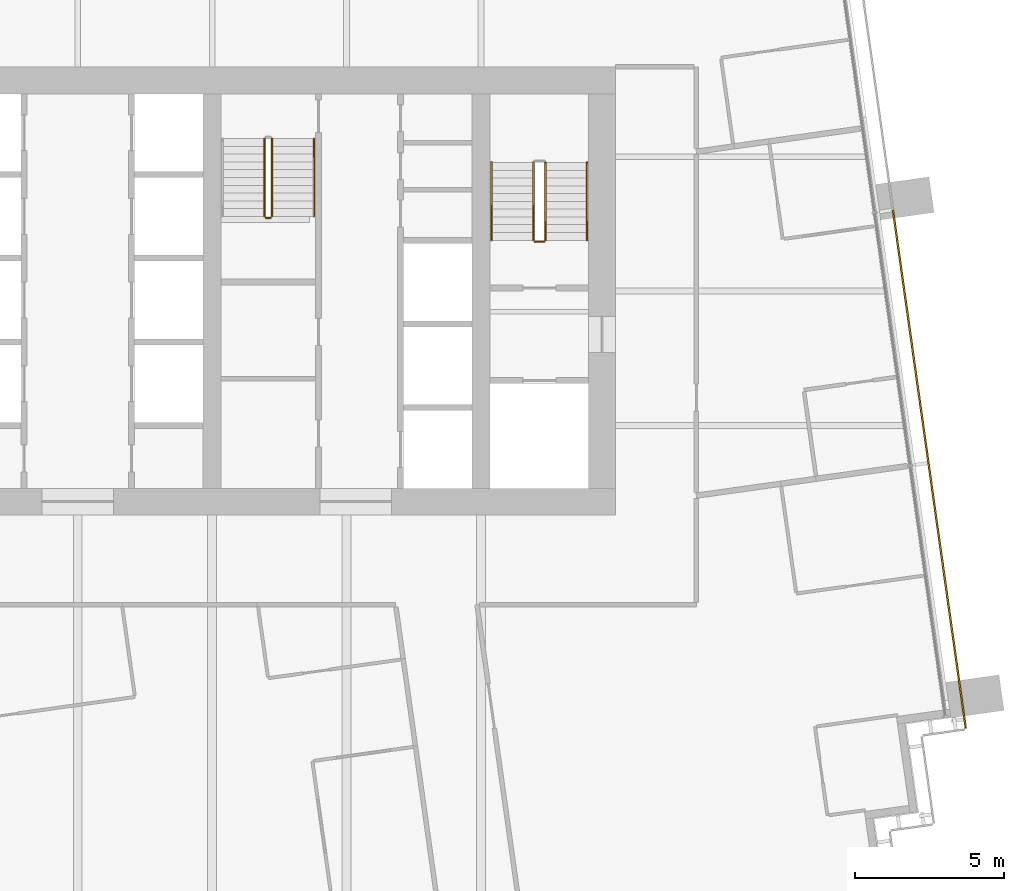
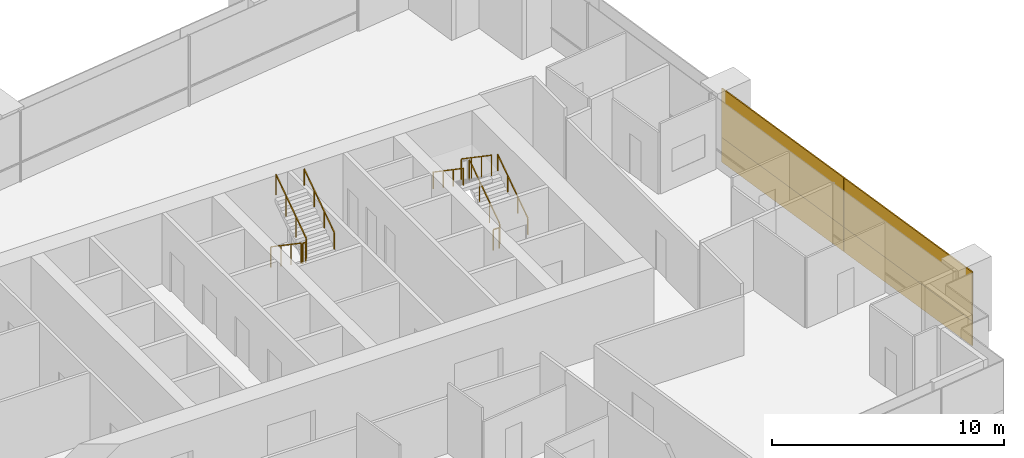
# One storey, part 16 of 18: 9 railings, 4 coverings.
"""IFC4 building model written with IfcOpenShell, lengths in metres."""

from ifc_helpers import new_model, si_unit, direction, frame, origin, origin_2d, place, context, subcontext, project, spatial, rectangle, extrude, material, layer, layer_set, type_object, element, save


model = new_model("IFC4")

# Units and contexts
model_context = context("Model", 3, precision=1e-05, world=origin(), true_north=direction((0.0, 1.0)))
body_context = subcontext(model_context, "Body", "Model", "MODEL_VIEW")
ifc_project = project(units=[si_unit("LENGTHUNIT", "METRE"), si_unit("AREAUNIT", "SQUARE_METRE"), si_unit("VOLUMEUNIT", "CUBIC_METRE"), si_unit("PLANEANGLEUNIT", "RADIAN"), si_unit("MASSUNIT", "GRAM", prefix="KILO")], contexts=[model_context])

# Site, building, storey
site_placement = place(None, origin())
site = spatial("IfcSite", under=ifc_project, at=site_placement, CompositionType="ELEMENT")
building_placement = place(site_placement, origin())
building = spatial("IfcBuilding", under=site, at=building_placement, Name="Rattan Terrace Tower", CompositionType="ELEMENT")
storey_placement = place(building_placement, frame((0.0, 0.0, 188.0)))
storey = spatial("IfcBuildingStorey", under=building, at=storey_placement, Name="L43", CompositionType="ELEMENT", Elevation=188.0)

# Railings
ifc_material_1 = material(Name="Powder-coated steel guard", Category="steel")
railing_type_1 = type_object("IfcRailingType", Name="Core stair guard", PredefinedType="GUARDRAIL", material=ifc_material_1)
railing_1_placement = place(storey_placement, frame((15.64990234375, 1.699951171875, 0.17724609375)))
element("IfcRailing", 1, at=railing_1_placement, inside=storey, type_object=railing_type_1, Name="L43 S2 stair guard 1", PredefinedType="GUARDRAIL", context=body_context, shape_type="SweptSolid", body=[
    extrude(rectangle(XDim=0.048095703125, YDim=0.048095703125, at=origin_2d()), frame((0.0, 0.0, 1.076171875), z_axis=(0.0, 0.826240473404, 0.563317565952), x_axis=(-1.0, 0.0, 0.0)), (0.0, 0.0, 1.0), 3.14697265625),
    extrude(rectangle(XDim=0.0419921875, YDim=0.0419921875, at=origin_2d()), origin(), (0.0, 0.0, 1.0), 1.052001953125),
    extrude(rectangle(XDim=0.0419921875, YDim=0.0419921875, at=origin_2d()), frame((0.0, 0.86669921875, 0.5908203125)), (0.0, 0.0, 1.0), 1.052001953125),
    extrude(rectangle(XDim=0.0419921875, YDim=0.0419921875, at=origin_2d()), frame((0.0, 1.7333984375, 1.181884765625)), (0.0, 0.0, 1.0), 1.052001953125),
    extrude(rectangle(XDim=0.0419921875, YDim=0.0419921875, at=origin_2d()), frame((0.0, 2.60009765625, 1.772705078125)), (0.0, 0.0, 1.0), 1.052001953125),
])
railing_2_placement = place(storey_placement, frame((15.25, 4.300048828125, 2.127197265625)))
element("IfcRailing", 2, at=railing_2_placement, inside=storey, type_object=railing_type_1, Name="L43 S2 stair guard 3", PredefinedType="GUARDRAIL", context=body_context, shape_type="SweptSolid", body=[
    extrude(rectangle(XDim=0.048095703125, YDim=0.048095703125, at=origin_2d()), frame((0.0, 0.0, 1.076171875), z_axis=(0.0, -0.826240473404, 0.563317565952), x_axis=(1.0, 0.0, 0.0)), (0.0, 0.0, 1.0), 3.14697265625),
    extrude(rectangle(XDim=0.0419921875, YDim=0.0419921875, at=origin_2d()), origin(), (0.0, 0.0, 1.0), 1.052001953125),
    extrude(rectangle(XDim=0.0419921875, YDim=0.0419921875, at=origin_2d()), frame((0.0, -0.86669921875, 0.5908203125)), (0.0, 0.0, 1.0), 1.052001953125),
    extrude(rectangle(XDim=0.0419921875, YDim=0.0419921875, at=origin_2d()), frame((0.0, -1.7333984375, 1.181884765625)), (0.0, 0.0, 1.0), 1.052001953125),
    extrude(rectangle(XDim=0.0419921875, YDim=0.0419921875, at=origin_2d()), frame((0.0, -2.60009765625, 1.772705078125)), (0.0, 0.0, 1.0), 1.052001953125),
])
railing_3_placement = place(storey_placement, frame((15.60009765625, 1.64990234375, 0.0)))
element("IfcRailing", 3, at=railing_3_placement, inside=storey, type_object=railing_type_1, Name="L43 S2 stair guard 4", PredefinedType="GUARDRAIL", context=body_context, shape_type="SweptSolid", body=[
    extrude(rectangle(XDim=0.048095703125, YDim=0.048095703125, at=origin_2d()), frame((0.0, 0.0, 1.076171875), z_axis=(-1.0, 0.0, 0.0), x_axis=(0.0, -1.0, 0.0)), (0.0, 0.0, 1.0), 0.300048828125),
    extrude(rectangle(XDim=0.0419921875, YDim=0.0419921875, at=origin_2d()), origin(), (0.0, 0.0, 1.0), 1.052001953125),
    extrude(rectangle(XDim=0.0419921875, YDim=0.0419921875, at=origin_2d()), frame((-0.300048828125, 0.0, 0.0)), (0.0, 0.0, 1.0), 1.052001953125),
])
railing_4_placement = place(storey_placement, frame((6.25, 5.10009765625, 0.17724609375)))
element("IfcRailing", 4, at=railing_4_placement, inside=storey, type_object=railing_type_1, Name="L43 S3 stair guard 1", PredefinedType="GUARDRAIL", context=body_context, shape_type="SweptSolid", body=[
    extrude(rectangle(XDim=0.048095703125, YDim=0.048095703125, at=origin_2d()), frame((0.0, 0.0, 1.076171875), z_axis=(0.0, -0.826240473404, 0.563317565952), x_axis=(1.0, 0.0, 0.0)), (0.0, 0.0, 1.0), 3.14697265625),
    extrude(rectangle(XDim=0.0419921875, YDim=0.0419921875, at=origin_2d()), origin(), (0.0, 0.0, 1.0), 1.052001953125),
    extrude(rectangle(XDim=0.0419921875, YDim=0.0419921875, at=origin_2d()), frame((0.0, -0.86669921875, 0.5908203125)), (0.0, 0.0, 1.0), 1.052001953125),
    extrude(rectangle(XDim=0.0419921875, YDim=0.0419921875, at=origin_2d()), frame((0.0, -1.7333984375, 1.181884765625)), (0.0, 0.0, 1.0), 1.052001953125),
    extrude(rectangle(XDim=0.0419921875, YDim=0.0419921875, at=origin_2d()), frame((0.0, -2.60009765625, 1.772705078125)), (0.0, 0.0, 1.0), 1.052001953125),
])
railing_5_placement = place(storey_placement, frame((6.300048828125, 2.449951171875, 1.949951171875)))
element("IfcRailing", 5, at=railing_5_placement, inside=storey, type_object=railing_type_1, Name="L43 S3 stair guard 2", PredefinedType="GUARDRAIL", context=body_context, shape_type="SweptSolid", body=[
    extrude(rectangle(XDim=0.048095703125, YDim=0.048095703125, at=origin_2d()), frame((0.0, 0.0, 1.076171875), z_axis=(1.0, 0.0, 0.0), x_axis=(0.0, 1.0, 0.0)), (0.0, 0.0, 1.0), 0.14990234375),
    extrude(rectangle(XDim=0.0419921875, YDim=0.0419921875, at=origin_2d()), origin(), (0.0, 0.0, 1.0), 1.052001953125),
    extrude(rectangle(XDim=0.0419921875, YDim=0.0419921875, at=origin_2d()), frame((0.14990234375, 0.0, 0.0)), (0.0, 0.0, 1.0), 1.052001953125),
])
railing_6_placement = place(storey_placement, frame((6.5, 2.5, 2.127197265625)))
element("IfcRailing", 6, at=railing_6_placement, inside=storey, type_object=railing_type_1, Name="L43 S3 stair guard 3", PredefinedType="GUARDRAIL", context=body_context, shape_type="SweptSolid", body=[
    extrude(rectangle(XDim=0.048095703125, YDim=0.048095703125, at=origin_2d()), frame((0.0, 0.0, 1.076171875), z_axis=(0.0, 0.826240473404, 0.563317565952), x_axis=(-1.0, 0.0, 0.0)), (0.0, 0.0, 1.0), 3.14697265625),
    extrude(rectangle(XDim=0.0419921875, YDim=0.0419921875, at=origin_2d()), origin(), (0.0, 0.0, 1.0), 1.052001953125),
    extrude(rectangle(XDim=0.0419921875, YDim=0.0419921875, at=origin_2d()), frame((0.0, 0.86669921875, 0.5908203125)), (0.0, 0.0, 1.0), 1.052001953125),
    extrude(rectangle(XDim=0.0419921875, YDim=0.0419921875, at=origin_2d()), frame((0.0, 1.7333984375, 1.181884765625)), (0.0, 0.0, 1.0), 1.052001953125),
    extrude(rectangle(XDim=0.0419921875, YDim=0.0419921875, at=origin_2d()), frame((0.0, 2.60009765625, 1.772705078125)), (0.0, 0.0, 1.0), 1.052001953125),
])
ifc_material_2 = material(Name="Powder-coated steel handrail", Category="steel")
railing_type_2 = type_object("IfcRailingType", Name="Core stair handrail", PredefinedType="HANDRAIL", material=ifc_material_2)
railing_7_placement = place(storey_placement, frame((17.050048828125, 1.699951171875, 0.17724609375)))
element("IfcRailing", 7, at=railing_7_placement, inside=storey, type_object=railing_type_2, Name="L43 S2 stair handrail 1", PredefinedType="HANDRAIL", context=body_context, shape_type="SweptSolid", body=[
    extrude(rectangle(XDim=0.048095703125, YDim=0.048095703125, at=origin_2d()), frame((0.0, 0.0, 0.8759765625), z_axis=(0.0, 0.826240473404, 0.563317565952), x_axis=(-1.0, 0.0, 0.0)), (0.0, 0.0, 1.0), 3.14697265625),
    extrude(rectangle(XDim=0.0419921875, YDim=0.0419921875, at=origin_2d()), origin(), (0.0, 0.0, 1.0), 0.851806640625),
    extrude(rectangle(XDim=0.0419921875, YDim=0.0419921875, at=origin_2d()), frame((0.0, 0.86669921875, 0.5908203125)), (0.0, 0.0, 1.0), 0.851806640625),
    extrude(rectangle(XDim=0.0419921875, YDim=0.0419921875, at=origin_2d()), frame((0.0, 1.7333984375, 1.181884765625)), (0.0, 0.0, 1.0), 0.851806640625),
    extrude(rectangle(XDim=0.0419921875, YDim=0.0419921875, at=origin_2d()), frame((0.0, 2.60009765625, 1.772705078125)), (0.0, 0.0, 1.0), 0.851806640625),
])
railing_8_placement = place(storey_placement, frame((13.85009765625, 4.300048828125, 2.127197265625)))
element("IfcRailing", 8, at=railing_8_placement, inside=storey, type_object=railing_type_2, Name="L43 S2 stair handrail 2", PredefinedType="HANDRAIL", context=body_context, shape_type="SweptSolid", body=[
    extrude(rectangle(XDim=0.048095703125, YDim=0.048095703125, at=origin_2d()), frame((0.0, 0.0, 0.8759765625), z_axis=(0.0, -0.826240473404, 0.563317565952), x_axis=(1.0, 0.0, 0.0)), (0.0, 0.0, 1.0), 3.14697265625),
    extrude(rectangle(XDim=0.0419921875, YDim=0.0419921875, at=origin_2d()), origin(), (0.0, 0.0, 1.0), 0.851806640625),
    extrude(rectangle(XDim=0.0419921875, YDim=0.0419921875, at=origin_2d()), frame((0.0, -0.86669921875, 0.5908203125)), (0.0, 0.0, 1.0), 0.851806640625),
    extrude(rectangle(XDim=0.0419921875, YDim=0.0419921875, at=origin_2d()), frame((0.0, -1.7333984375, 1.181884765625)), (0.0, 0.0, 1.0), 0.851806640625),
    extrude(rectangle(XDim=0.0419921875, YDim=0.0419921875, at=origin_2d()), frame((0.0, -2.60009765625, 1.772705078125)), (0.0, 0.0, 1.0), 0.851806640625),
])
railing_9_placement = place(storey_placement, frame((7.89990234375, 2.5, 2.127197265625)))
element("IfcRailing", 9, at=railing_9_placement, inside=storey, type_object=railing_type_2, Name="L43 S3 stair handrail 2", PredefinedType="HANDRAIL", context=body_context, shape_type="SweptSolid", body=[
    extrude(rectangle(XDim=0.048095703125, YDim=0.048095703125, at=origin_2d()), frame((0.0, 0.0, 0.8759765625), z_axis=(0.0, 0.826240473404, 0.563317565952), x_axis=(-1.0, 0.0, 0.0)), (0.0, 0.0, 1.0), 3.14697265625),
    extrude(rectangle(XDim=0.0419921875, YDim=0.0419921875, at=origin_2d()), origin(), (0.0, 0.0, 1.0), 0.851806640625),
    extrude(rectangle(XDim=0.0419921875, YDim=0.0419921875, at=origin_2d()), frame((0.0, 0.86669921875, 0.5908203125)), (0.0, 0.0, 1.0), 0.851806640625),
    extrude(rectangle(XDim=0.0419921875, YDim=0.0419921875, at=origin_2d()), frame((0.0, 1.7333984375, 1.181884765625)), (0.0, 0.0, 1.0), 0.851806640625),
    extrude(rectangle(XDim=0.0419921875, YDim=0.0419921875, at=origin_2d()), frame((0.0, 2.60009765625, 1.772705078125)), (0.0, 0.0, 1.0), 0.851806640625),
])

# Coverings
ifc_material_3 = material(Name="Solid terracotta", Category="masonry")
ifc_layer_1 = layer(ifc_material_3, 0.06005859375)
ifc_layer_set_1 = layer_set([ifc_layer_1], Name="Facade Terracotta Band Panel")
covering_type_1 = type_object("IfcCoveringType", Name="Facade Terracotta Band Panel", PredefinedType="CLADDING", material=ifc_layer_set_1)
covering_1_placement = place(storey_placement, frame((29.095703125, -10.19580078125, -0.18994140625), z_axis=(0.0, 0.0, 1.0), x_axis=(-0.139190856006, 0.99026557327, 0.0)))
element("IfcCovering", 10, at=covering_1_placement, inside=storey, type_object=covering_type_1, Name="OUTER SKIN panel L43-6A", PredefinedType="CLADDING", context=body_context, shape_type="SweptSolid", body=[
    extrude(rectangle(XDim=8.949951171875, YDim=0.06005859375, at=origin_2d()), origin(), (0.0, 0.0, 1.0), 1.300048828125),
])
covering_2_placement = place(storey_placement, frame((27.87646484375, -1.521240234375, -0.18994140625), z_axis=(0.0, 0.0, 1.0), x_axis=(-0.139190856006, 0.99026557327, 0.0)))
element("IfcCovering", 11, at=covering_2_placement, inside=storey, type_object=covering_type_1, Name="OUTER SKIN panel L43-7A", PredefinedType="CLADDING", context=body_context, shape_type="SweptSolid", body=[
    extrude(rectangle(XDim=8.530029296875, YDim=0.06005859375, at=origin_2d()), origin(), (0.0, 0.0, 1.0), 1.300048828125),
])
ifc_material_4 = material(Name="Perforated terracotta", Category="masonry")
ifc_layer_2 = layer(ifc_material_4, 0.06005859375)
ifc_layer_set_2 = layer_set([ifc_layer_2], Name="Facade Terracotta Screen Panel")
covering_type_2 = type_object("IfcCoveringType", Name="Facade Terracotta Screen Panel", PredefinedType="CLADDING", material=ifc_layer_set_2)
covering_3_placement = place(storey_placement, frame((29.095703125, -10.19580078125, 1.10986328125), z_axis=(0.0, 0.0, 1.0), x_axis=(-0.139190856006, 0.99026557327, 0.0)))
element("IfcCovering", 12, at=covering_3_placement, inside=storey, type_object=covering_type_2, Name="OUTER SKIN panel L43-6B", PredefinedType="CLADDING", context=body_context, shape_type="SweptSolid", body=[
    extrude(rectangle(XDim=8.949951171875, YDim=0.06005859375, at=origin_2d()), origin(), (0.0, 0.0, 1.0), 2.580078125),
])
covering_4_placement = place(storey_placement, frame((27.87646484375, -1.521240234375, 1.10986328125), z_axis=(0.0, 0.0, 1.0), x_axis=(-0.139190856006, 0.99026557327, 0.0)))
element("IfcCovering", 13, at=covering_4_placement, inside=storey, type_object=covering_type_2, Name="OUTER SKIN panel L43-7B", PredefinedType="CLADDING", context=body_context, shape_type="SweptSolid", body=[
    extrude(rectangle(XDim=8.530029296875, YDim=0.06005859375, at=origin_2d()), origin(), (0.0, 0.0, 1.0), 2.580078125),
])

save(model, "model.ifc")
